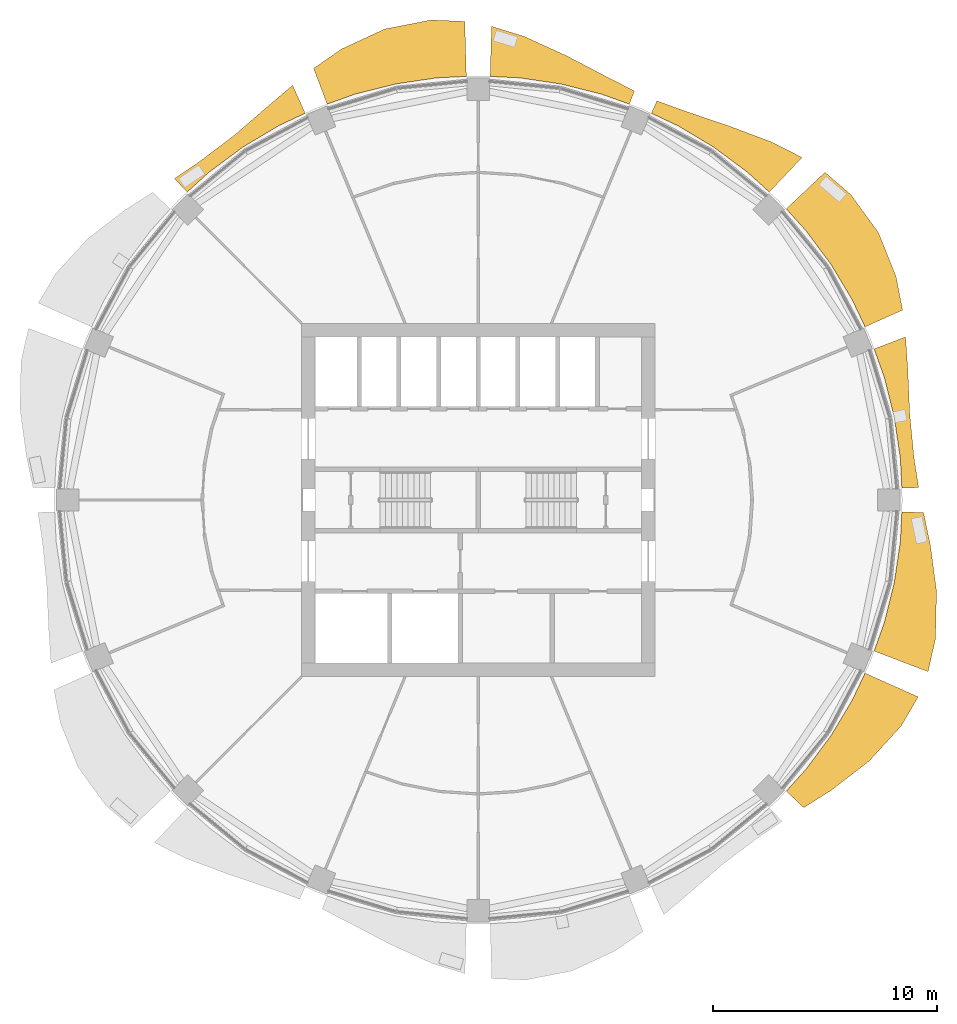
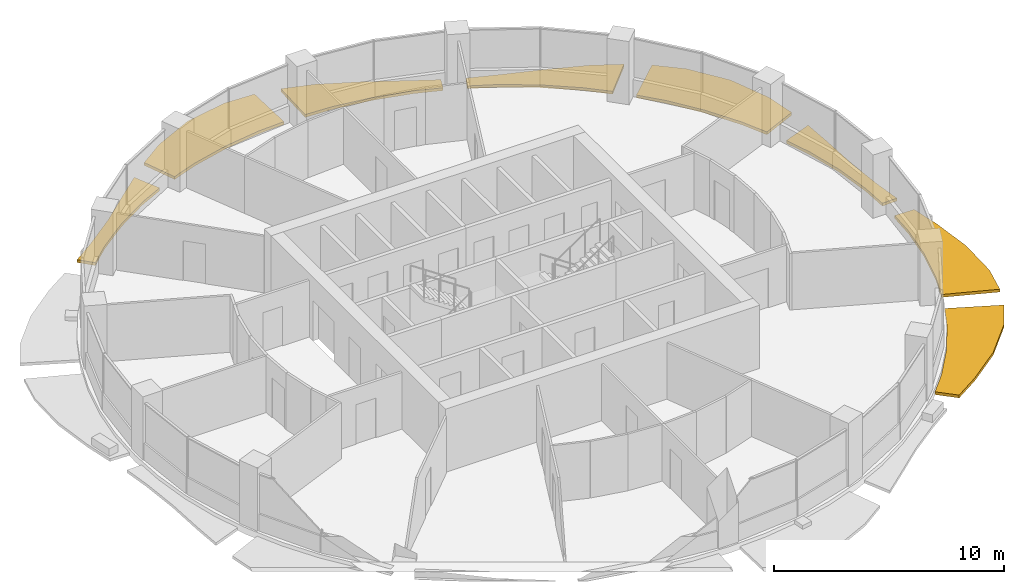
# One storey, part 13 of 14: 8 shading devices.
"""IFC4 building model written with IfcOpenShell, lengths in metres."""

from ifc_helpers import new_model, si_unit, direction, frame, origin, place, context, subcontext, project, spatial, polyline, outline, extrude, material, type_object, element, save


model = new_model("IFC4")

# Units and contexts
model_context = context("Model", 3, precision=1e-05, world=origin(), true_north=direction((0.0, 1.0)))
body_context = subcontext(model_context, "Body", "Model", "MODEL_VIEW")
ifc_project = project(units=[si_unit("LENGTHUNIT", "METRE"), si_unit("AREAUNIT", "SQUARE_METRE"), si_unit("VOLUMEUNIT", "CUBIC_METRE"), si_unit("PLANEANGLEUNIT", "RADIAN"), si_unit("MASSUNIT", "GRAM", prefix="KILO")], contexts=[model_context])

# Site, building, storey
site_placement = place(None, origin())
site = spatial("IfcSite", under=ifc_project, at=site_placement, CompositionType="ELEMENT")
building_placement = place(site_placement, origin())
building = spatial("IfcBuilding", under=site, at=building_placement, Name="Polderwave Tower", CompositionType="ELEMENT")
storey_placement = place(building_placement, frame((0.0, 0.0, 144.39990234375)))
storey = spatial("IfcBuildingStorey", under=building, at=storey_placement, Name="L38", CompositionType="ELEMENT", Elevation=144.39990234375)

# Shading devices
ifc_material = material(Name="Terracotta", Category="masonry")
shading_device_type = type_object("IfcShadingDeviceType", Name="Terracotta sunshade band", PredefinedType="USERDEFINED", material=ifc_material)
shading_device_1_placement = place(storey_placement, frame((0.0, 0.0, -0.349853515625)))
element("IfcShadingDevice", 1, at=shading_device_1_placement, inside=storey, type_object=shading_device_type, Name="Sunshade band L38 1", ObjectType="SUNSHADE", PredefinedType="USERDEFINED", context=body_context, shape_type="SweptSolid", body=[
    extrude(outline(polyline([(18.8740234375, 0.5302734375), (18.80908203125, 1.8525390625), (18.536865234375, 3.687255859375), (18.086181640625, 5.486328125), (17.64013671875, 6.73291015625), (19.040771484375, 7.267578125), (19.140380859375, 5.80615234375), (19.227294921875, 3.824462890625), (19.414306640625, 1.912109375), (19.620849609375, 0.551025390625), (18.8740234375, 0.5302734375)])), origin(), (0.0, 0.0, 1.0), 0.14990234375),
])
shading_device_2_placement = place(storey_placement, frame((0.0, 0.0, -0.349853515625)))
element("IfcShadingDevice", 2, at=shading_device_2_placement, inside=storey, type_object=shading_device_type, Name="Sunshade band L38 2", ObjectType="SUNSHADE", PredefinedType="USERDEFINED", context=body_context, shape_type="SweptSolid", body=[
    extrude(outline(polyline([(17.234375, 7.712646484375), (16.668212890625, 8.909423828125), (15.71484375, 10.500244140625), (14.60986328125, 11.989990234375), (13.720703125, 12.970947265625), (15.446533203125, 14.6025390625), (16.593017578125, 13.617431640625), (17.8330078125, 11.91552734375), (18.61767578125, 9.951416015625), (18.908203125, 8.461669921875), (17.234375, 7.712646484375)])), origin(), (0.0, 0.0, 1.0), 0.14990234375),
])
shading_device_3_placement = place(storey_placement, frame((0.0, 0.0, -0.349853515625)))
element("IfcShadingDevice", 3, at=shading_device_3_placement, inside=storey, type_object=shading_device_type, Name="Sunshade band L38 3", ObjectType="SUNSHADE", PredefinedType="USERDEFINED", context=body_context, shape_type="SweptSolid", body=[
    extrude(outline(polyline([(12.970947265625, 13.720703125), (11.989990234375, 14.60986328125), (10.500244140625, 15.71484375), (8.909423828125, 16.668212890625), (7.712646484375, 17.234375), (7.959716796875, 17.78662109375), (9.2548828125, 17.314697265625), (11.142578125, 16.67578125), (13.086669921875, 15.946044921875), (14.428955078125, 15.262939453125), (12.970947265625, 13.720703125)])), origin(), (0.0, 0.0, 1.0), 0.14990234375),
])
shading_device_4_placement = place(storey_placement, frame((0.0, 0.0, -0.349853515625)))
element("IfcShadingDevice", 4, at=shading_device_4_placement, inside=storey, type_object=shading_device_type, Name="Sunshade band L38 4", ObjectType="SUNSHADE", PredefinedType="USERDEFINED", context=body_context, shape_type="SweptSolid", body=[
    extrude(outline(polyline([(6.73291015625, 17.64013671875), (5.486328125, 18.086181640625), (3.687255859375, 18.536865234375), (1.8525390625, 18.80908203125), (0.5302734375, 18.8740234375), (0.5927734375, 21.105224609375), (2.034912109375, 20.66064453125), (3.93701171875, 19.79248046875), (5.720947265625, 18.859130859375), (6.956787109375, 18.2265625), (6.73291015625, 17.64013671875)])), origin(), (0.0, 0.0, 1.0), 0.14990234375),
])
shading_device_5_placement = place(storey_placement, frame((0.0, 0.0, -0.349853515625)))
element("IfcShadingDevice", 5, at=shading_device_5_placement, inside=storey, type_object=shading_device_type, Name="Sunshade band L38 5", ObjectType="SUNSHADE", PredefinedType="USERDEFINED", context=body_context, shape_type="SweptSolid", body=[
    extrude(outline(polyline([(-0.5302734375, 18.8740234375), (-1.8525390625, 18.80908203125), (-3.687255859375, 18.536865234375), (-5.486328125, 18.086181640625), (-6.73291015625, 17.64013671875), (-7.339599609375, 19.229248046875), (-6.095458984375, 20.093994140625), (-4.17431640625, 20.98486328125), (-2.106689453125, 21.38818359375), (-0.59912109375, 21.32568359375), (-0.5302734375, 18.8740234375)])), origin(), (0.0, 0.0, 1.0), 0.14990234375),
])
shading_device_6_placement = place(storey_placement, frame((0.0, 0.0, -0.349853515625)))
element("IfcShadingDevice", 6, at=shading_device_6_placement, inside=storey, type_object=shading_device_type, Name="Sunshade band L38 6", ObjectType="SUNSHADE", PredefinedType="USERDEFINED", context=body_context, shape_type="SweptSolid", body=[
    extrude(outline(polyline([(-7.712646484375, 17.234375), (-8.909423828125, 16.668212890625), (-10.500244140625, 15.71484375), (-11.989990234375, 14.60986328125), (-12.970947265625, 13.720703125), (-13.537841796875, 14.3203125), (-12.392578125, 15.100341796875), (-10.86279296875, 16.25732421875), (-9.3759765625, 17.541015625), (-8.270751953125, 18.4814453125), (-7.712646484375, 17.234375)])), origin(), (0.0, 0.0, 1.0), 0.14990234375),
])
shading_device_7_placement = place(storey_placement, frame((0.0, 0.0, -0.349853515625)))
element("IfcShadingDevice", 7, at=shading_device_7_placement, inside=storey, type_object=shading_device_type, Name="Sunshade band L38 15", ObjectType="SUNSHADE", PredefinedType="USERDEFINED", context=body_context, shape_type="SweptSolid", body=[
    extrude(outline(polyline([(13.720703125, -12.970947265625), (14.60986328125, -11.989990234375), (15.71484375, -10.500244140625), (16.668212890625, -8.909423828125), (17.234375, -7.712646484375), (19.602783203125, -8.7724609375), (18.843994140625, -10.072265625), (17.414306640625, -11.635986328125), (15.747314453125, -12.923583984375), (14.50390625, -13.71142578125), (13.720703125, -12.970947265625)])), origin(), (0.0, 0.0, 1.0), 0.14990234375),
])
shading_device_8_placement = place(storey_placement, frame((0.0, 0.0, -0.349853515625)))
element("IfcShadingDevice", 8, at=shading_device_8_placement, inside=storey, type_object=shading_device_type, Name="Sunshade band L38 16", ObjectType="SUNSHADE", PredefinedType="USERDEFINED", context=body_context, shape_type="SweptSolid", body=[
    extrude(outline(polyline([(17.64013671875, -6.73291015625), (18.086181640625, -5.486328125), (18.536865234375, -3.687255859375), (18.80908203125, -1.8525390625), (18.8740234375, -0.5302734375), (19.84130859375, -0.557373046875), (20.141845703125, -1.98388671875), (20.419677734375, -4.061767578125), (20.375244140625, -6.180908203125), (20.04345703125, -7.650146484375), (17.64013671875, -6.73291015625)])), origin(), (0.0, 0.0, 1.0), 0.14990234375),
])

save(model, "model.ifc")
